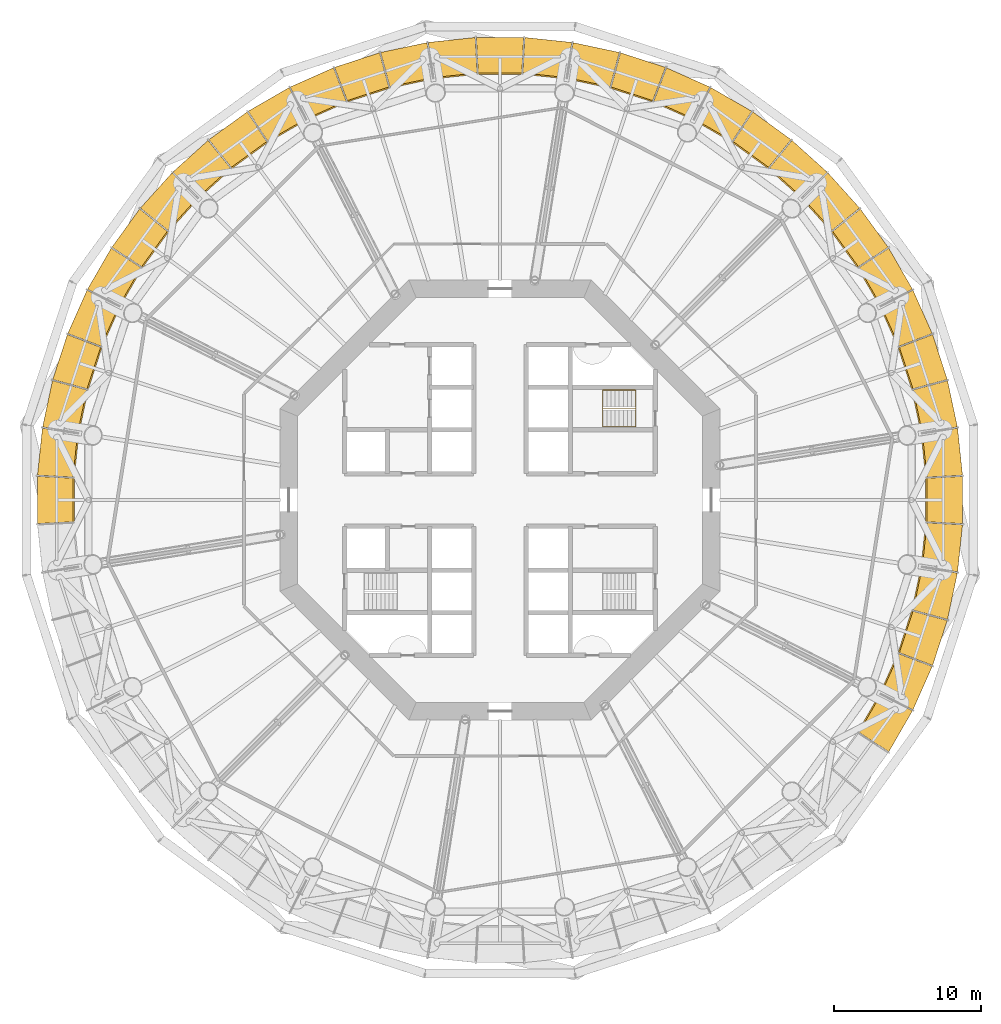
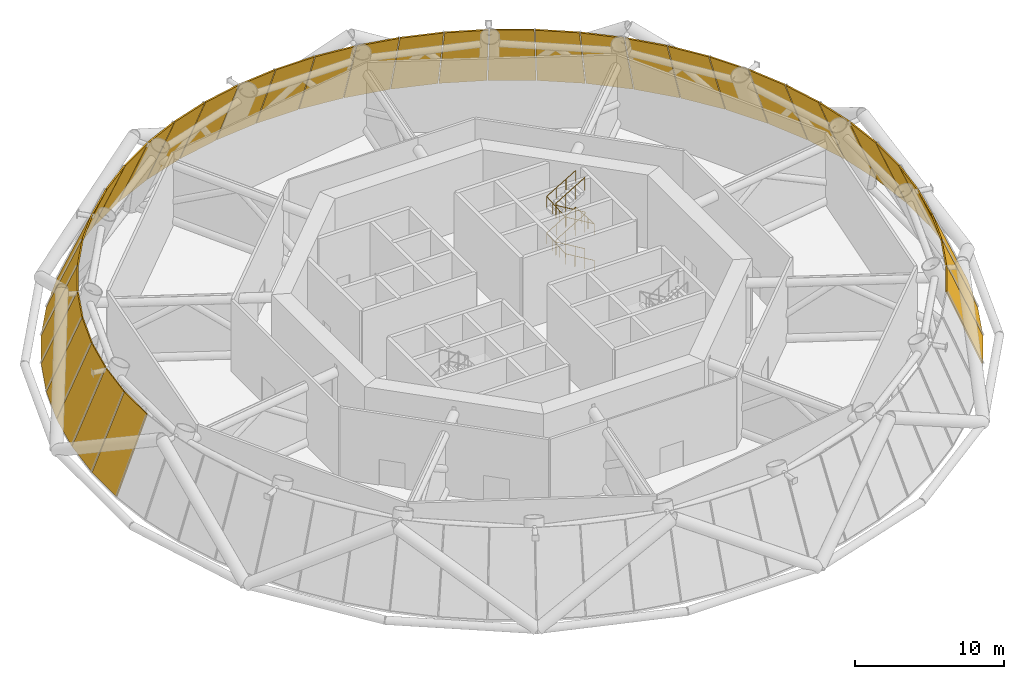
# One storey, part 18 of 18: 36 shading devices, 2 railings.
"""IFC4 building model written with IfcOpenShell, lengths in metres."""

from ifc_helpers import new_model, si_unit, direction, frame, origin, origin_2d, place, context, subcontext, project, spatial, polyline, circle, outline, extrude, material, layer, layer_set, type_object, element, save


model = new_model("IFC4")

# Units and contexts
model_context = context("Model", 3, precision=1e-05, world=origin(), true_north=direction((0.0, 1.0)))
body_context = subcontext(model_context, "Body", "Model", "MODEL_VIEW")
ifc_project = project(units=[si_unit("LENGTHUNIT", "METRE"), si_unit("AREAUNIT", "SQUARE_METRE"), si_unit("VOLUMEUNIT", "CUBIC_METRE"), si_unit("PLANEANGLEUNIT", "RADIAN"), si_unit("MASSUNIT", "GRAM", prefix="KILO")], contexts=[model_context])

# Site, building, storey
site_placement = place(None, origin())
site = spatial("IfcSite", under=ifc_project, at=site_placement, CompositionType="ELEMENT")
building_placement = place(site_placement, origin())
building = spatial("IfcBuilding", under=site, at=building_placement, Name="Entoto Ring Tower", CompositionType="ELEMENT")
storey_placement = place(building_placement, frame((0.0, 0.0, 138.0)))
storey = spatial("IfcBuildingStorey", under=building, at=storey_placement, Name="L31", CompositionType="ELEMENT", Elevation=138.0)

# Shading devices
ifc_material_1 = material(Name="Anodised aluminium", Category="aluminium")
ifc_layer = layer(ifc_material_1, 0.10009765625)
ifc_layer_set = layer_set([ifc_layer], Name="Anodised aluminium")
shading_device_type = type_object("IfcShadingDeviceType", Name="Louvre bank 100 mm anodised aluminium", PredefinedType="JALOUSIE", material=ifc_layer_set)
shading_device_1_placement = place(storey_placement, frame((121.195068359375, 84.9814453125, 0.03857421875), z_axis=(0.902909840712, 0.191938318663, 0.384595243566), x_axis=(-0.20793140203, 0.978143410779, 2.7928e-07)))
element("IfcShadingDevice", 1, at=shading_device_1_placement, inside=storey, type_object=shading_device_type, Name="LOUVRE L31-00", PredefinedType="JALOUSIE", context=body_context, shape_type="SweptSolid", body=[
    extrude(outline(polyline([(0.0, 0.0), (3.2265271884556905, -5.551115123125783e-17), (3.0997850063183683, 6.295758883647002), (0.12684836673709754, 6.295760759300498), (0.0, 0.0)])), origin(), (0.0, 0.0, -1.0), 0.10009765625),
])
shading_device_2_placement = place(storey_placement, frame((120.503662109375, 88.21484375, 0.03857421875), z_axis=(0.877885494944, 0.285273709756, 0.384624450977), x_axis=(-0.309050917079, 0.951045493439, 7.907044e-06)))
element("IfcShadingDevice", 2, at=shading_device_2_placement, inside=storey, type_object=shading_device_type, Name="LOUVRE L31-01", PredefinedType="JALOUSIE", context=body_context, shape_type="SweptSolid", body=[
    extrude(outline(polyline([(0.0, 0.0), (3.2268346798809784, 0.0), (3.099878226218656, 6.295816269775997), (0.1269738169212568, 6.295869376740003), (0.0, 0.0)])), origin(), (0.0, 0.0, -1.0), 0.10009765625),
])
shading_device_3_placement = place(storey_placement, frame((119.477783203125, 91.3583984375, 0.03857421875), z_axis=(0.843273052985, 0.375454431841, 0.384609578299), x_axis=(-0.406743440729, 0.913542431084, 5.7945e-06)))
element("IfcShadingDevice", 3, at=shading_device_3_placement, inside=storey, type_object=shading_device_type, Name="LOUVRE L31-02", PredefinedType="JALOUSIE", context=body_context, shape_type="SweptSolid", body=[
    extrude(outline(polyline([(0.0, 0.0), (3.2267490357089774, -5.551115123125783e-17), (3.0998564130350026, 6.295781097947797), (0.12677052247417445, 6.29582001653252), (0.0, 0.0)])), origin(), (0.0, 0.0, -1.0), 0.10009765625),
])
shading_device_4_placement = place(storey_placement, frame((118.129150390625, 94.37744140625, 0.03857421875), z_axis=(0.799398656854, 0.46155085017, 0.384620072444), x_axis=(-0.500017783545, 0.866015136158, 9.15765e-06)))
element("IfcShadingDevice", 4, at=shading_device_4_placement, inside=storey, type_object=shading_device_type, Name="LOUVRE L31-03", PredefinedType="JALOUSIE", context=body_context, shape_type="SweptSolid", body=[
    extrude(outline(polyline([(0.0, 0.0), (3.226813178689988, -1.1102230246251565e-16), (3.099792724888256, 6.2957996274384), (0.12707839944664825, 6.295861131761754), (0.0, 0.0)])), origin(), (0.0, 0.0, -1.0), 0.10009765625),
])
shading_device_5_placement = place(storey_placement, frame((116.47216796875, 97.23876953125, 0.03857421875), z_axis=(0.746802221329, 0.542553903896, 0.384605906852), x_axis=(-0.587767918098, 0.809029588046, 1.0986568e-05)))
element("IfcShadingDevice", 5, at=shading_device_5_placement, inside=storey, type_object=shading_device_type, Name="LOUVRE L31-04", PredefinedType="JALOUSIE", context=body_context, shape_type="SweptSolid", body=[
    extrude(outline(polyline([(0.0, 0.0), (3.226885337080147, -1.1102230246251565e-16), (3.0999857743016874, 6.295753227516928), (0.12703301764701475, 6.29582701839054), (0.0, 0.0)])), origin(), (0.0, 0.0, -1.0), 0.10009765625),
])
shading_device_6_placement = place(storey_placement, frame((114.525146484375, 99.91162109375, 0.03857421875), z_axis=(0.685983358776, 0.617646737618, 0.384628832764), x_axis=(-0.669124159607, 0.743150630054, 9.037892e-06)))
element("IfcShadingDevice", 6, at=shading_device_6_placement, inside=storey, type_object=shading_device_type, Name="LOUVRE L31-05", PredefinedType="JALOUSIE", context=body_context, shape_type="SweptSolid", body=[
    extrude(outline(polyline([(0.0, 0.0), (3.226796766588704, 0.0), (3.099923533200757, 6.2958249246981355), (0.12689207459241947, 6.295885627895602), (0.0, 0.0)])), origin(), (0.0, 0.0, -1.0), 0.10009765625),
])
shading_device_7_placement = place(storey_placement, frame((112.3095703125, 102.365966796875, 0.03857421875), z_axis=(0.617646737618, 0.685983358776, 0.384628832764), x_axis=(-0.743150630054, 0.669124159607, -9.037892e-06)))
element("IfcShadingDevice", 7, at=shading_device_7_placement, inside=storey, type_object=shading_device_type, Name="LOUVRE L31-06", PredefinedType="JALOUSIE", context=body_context, shape_type="SweptSolid", body=[
    extrude(outline(polyline([(0.0, 0.0), (3.226796766588704, 0.0), (3.099904691996284, 6.295885627895602), (0.12687323338794687, 6.2958249246981355), (0.0, 0.0)])), origin(), (0.0, 0.0, -1.0), 0.10009765625),
])
shading_device_8_placement = place(storey_placement, frame((109.849365234375, 104.575439453125, 0.03857421875), z_axis=(0.542553903896, 0.746802221329, 0.384605906852), x_axis=(-0.809029588046, 0.587767918098, -1.0986568e-05)))
element("IfcShadingDevice", 8, at=shading_device_8_placement, inside=storey, type_object=shading_device_type, Name="LOUVRE L31-07", PredefinedType="JALOUSIE", context=body_context, shape_type="SweptSolid", body=[
    extrude(outline(polyline([(0.0, 0.0), (3.226885337080147, 1.1102230246251565e-16), (3.0998523194331318, 6.29582701839054), (0.12689956277845987, 6.295753227516929), (0.0, 0.0)])), origin(), (0.0, 0.0, -1.0), 0.10009765625),
])
shading_device_9_placement = place(storey_placement, frame((107.171875, 106.515625, 0.03857421875), z_axis=(0.46155085017, 0.799398656854, 0.384620072444), x_axis=(-0.866015136158, 0.500017783545, -9.15765e-06)))
element("IfcShadingDevice", 9, at=shading_device_9_placement, inside=storey, type_object=shading_device_type, Name="LOUVRE L31-08", PredefinedType="JALOUSIE", context=body_context, shape_type="SweptSolid", body=[
    extrude(outline(polyline([(0.0, 0.0), (3.226813178689988, 1.1102230246251565e-16), (3.0997347792433394, 6.295861131761754), (0.12702045380173252, 6.2957996274384), (0.0, 0.0)])), origin(), (0.0, 0.0, -1.0), 0.10009765625),
])
shading_device_10_placement = place(storey_placement, frame((104.30615234375, 108.165283203125, 0.03857421875), z_axis=(0.375454431841, 0.843273052985, 0.384609578299), x_axis=(-0.913542431084, 0.406743440729, -5.7945e-06)))
element("IfcShadingDevice", 10, at=shading_device_10_placement, inside=storey, type_object=shading_device_type, Name="LOUVRE L31-09", PredefinedType="JALOUSIE", context=body_context, shape_type="SweptSolid", body=[
    extrude(outline(polyline([(0.0, 0.0), (3.2267490357089774, 5.551115123125783e-17), (3.0999785132348032, 6.29582001653252), (0.12689262267397503, 6.295781097947797), (0.0, 0.0)])), origin(), (0.0, 0.0, -1.0), 0.10009765625),
])
shading_device_11_placement = place(storey_placement, frame((101.28369140625, 109.50634765625, 0.03857421875), z_axis=(0.285273709756, 0.877885494944, 0.384624450977), x_axis=(-0.951045493439, 0.309050917079, -7.907044e-06)))
element("IfcShadingDevice", 11, at=shading_device_11_placement, inside=storey, type_object=shading_device_type, Name="LOUVRE L31-10", PredefinedType="JALOUSIE", context=body_context, shape_type="SweptSolid", body=[
    extrude(outline(polyline([(0.0, 0.0), (3.2268346798809784, 0.0), (3.0998608629597215, 6.295869376740003), (0.1269564536623214, 6.295816269775997), (0.0, 0.0)])), origin(), (0.0, 0.0, -1.0), 0.10009765625),
])
shading_device_12_placement = place(storey_placement, frame((98.137451171875, 110.524169921875, 0.03857421875), z_axis=(0.191938318663, 0.902909840712, 0.384595243566), x_axis=(-0.978143410779, 0.20793140203, -2.7928e-07)))
element("IfcShadingDevice", 12, at=shading_device_12_placement, inside=storey, type_object=shading_device_type, Name="LOUVRE L31-11", PredefinedType="JALOUSIE", context=body_context, shape_type="SweptSolid", body=[
    extrude(outline(polyline([(0.0, 0.0), (3.2265271884556905, 5.551115123125783e-17), (3.099678821718593, 6.295760759300498), (0.12674218213732258, 6.295758883647002), (0.0, 0.0)])), origin(), (0.0, 0.0, -1.0), 0.10009765625),
])
shading_device_13_placement = place(storey_placement, frame((94.90234375, 111.207763671875, 0.03857421875), z_axis=(0.096476902825, 0.918020988674, 0.384616265355), x_axis=(-0.99452352014, 0.104513003067, 8.888352e-06)))
element("IfcShadingDevice", 13, at=shading_device_13_placement, inside=storey, type_object=shading_device_type, Name="LOUVRE L31-12", PredefinedType="JALOUSIE", context=body_context, shape_type="SweptSolid", body=[
    extrude(outline(polyline([(0.0, 0.0), (3.2266478530153275, 0.0), (3.09989097908511, 6.295789711517468), (0.12705775599058625, 6.2958494066413015), (0.0, 0.0)])), origin(), (0.0, 0.0, -1.0), 0.10009765625),
])
shading_device_14_placement = place(storey_placement, frame((91.61328125, 111.549072265625, 0.03857421875), z_axis=(0.0, 0.923081512173, 0.384604370599), x_axis=(-1.0, 0.0, 0.0)))
element("IfcShadingDevice", 14, at=shading_device_14_placement, inside=storey, type_object=shading_device_type, Name="LOUVRE L31-13", PredefinedType="JALOUSIE", context=body_context, shape_type="SweptSolid", body=[
    extrude(outline(polyline([(0.0, 0.0), (3.2265625, 0.0), (3.099853515625, 6.295785757659698), (0.126708984375, 6.295785757659698), (0.0, 0.0)])), origin(), (0.0, 0.0, -1.0), 0.10009765625),
])
shading_device_15_placement = place(storey_placement, frame((88.306640625, 111.544921875, 0.03857421875), z_axis=(-0.096476902825, 0.918020988674, 0.384616265355), x_axis=(-0.99452352014, -0.104513003067, -8.888352e-06)))
element("IfcShadingDevice", 15, at=shading_device_15_placement, inside=storey, type_object=shading_device_type, Name="LOUVRE L31-14", PredefinedType="JALOUSIE", context=body_context, shape_type="SweptSolid", body=[
    extrude(outline(polyline([(0.0, 0.0), (3.2266478530153275, 0.0), (3.099590097024741, 6.2958494066413015), (0.12675687393021692, 6.295789711517468), (0.0, 0.0)])), origin(), (0.0, 0.0, -1.0), 0.10009765625),
])
shading_device_16_placement = place(storey_placement, frame((85.0185546875, 111.195068359375, 0.03857421875), z_axis=(-0.191938318663, 0.902909840712, 0.384595243566), x_axis=(-0.978143410779, -0.20793140203, 2.7928e-07)))
element("IfcShadingDevice", 16, at=shading_device_16_placement, inside=storey, type_object=shading_device_type, Name="LOUVRE L31-15", PredefinedType="JALOUSIE", context=body_context, shape_type="SweptSolid", body=[
    extrude(outline(polyline([(0.0, 0.0), (3.2265271884556905, -5.551115123125783e-17), (3.0997850063183683, 6.295758883647002), (0.12684836673709754, 6.295760759300498), (0.0, 0.0)])), origin(), (0.0, 0.0, -1.0), 0.10009765625),
])
shading_device_17_placement = place(storey_placement, frame((81.78515625, 110.503662109375, 0.03857421875), z_axis=(-0.285273709756, 0.877885494944, 0.384624450977), x_axis=(-0.951045493439, -0.309050917079, 7.907044e-06)))
element("IfcShadingDevice", 17, at=shading_device_17_placement, inside=storey, type_object=shading_device_type, Name="LOUVRE L31-16", PredefinedType="JALOUSIE", context=body_context, shape_type="SweptSolid", body=[
    extrude(outline(polyline([(0.0, 0.0), (3.2268346798809784, 0.0), (3.099878226218656, 6.295816269775997), (0.1269738169212568, 6.295869376740003), (0.0, 0.0)])), origin(), (0.0, 0.0, -1.0), 0.10009765625),
])
shading_device_18_placement = place(storey_placement, frame((78.6416015625, 109.477783203125, 0.03857421875), z_axis=(-0.375454431841, 0.843273052985, 0.384609578299), x_axis=(-0.913542431084, -0.406743440729, 5.7945e-06)))
element("IfcShadingDevice", 18, at=shading_device_18_placement, inside=storey, type_object=shading_device_type, Name="LOUVRE L31-17", PredefinedType="JALOUSIE", context=body_context, shape_type="SweptSolid", body=[
    extrude(outline(polyline([(0.0, 0.0), (3.2267490357089774, -5.551115123125783e-17), (3.0998564130350026, 6.295781097947797), (0.12677052247417445, 6.29582001653252), (0.0, 0.0)])), origin(), (0.0, 0.0, -1.0), 0.10009765625),
])
shading_device_19_placement = place(storey_placement, frame((75.62255859375, 108.129150390625, 0.03857421875), z_axis=(-0.46155085017, 0.799398656854, 0.384620072444), x_axis=(-0.866015136158, -0.500017783545, 9.15765e-06)))
element("IfcShadingDevice", 19, at=shading_device_19_placement, inside=storey, type_object=shading_device_type, Name="LOUVRE L31-18", PredefinedType="JALOUSIE", context=body_context, shape_type="SweptSolid", body=[
    extrude(outline(polyline([(0.0, 0.0), (3.226813178689988, -1.1102230246251565e-16), (3.099792724888256, 6.2957996274384), (0.12707839944664825, 6.295861131761754), (0.0, 0.0)])), origin(), (0.0, 0.0, -1.0), 0.10009765625),
])
shading_device_20_placement = place(storey_placement, frame((72.76123046875, 106.47216796875, 0.03857421875), z_axis=(-0.542553903896, 0.746802221329, 0.384605906852), x_axis=(-0.809029588046, -0.587767918098, 1.0986568e-05)))
element("IfcShadingDevice", 20, at=shading_device_20_placement, inside=storey, type_object=shading_device_type, Name="LOUVRE L31-19", PredefinedType="JALOUSIE", context=body_context, shape_type="SweptSolid", body=[
    extrude(outline(polyline([(0.0, 0.0), (3.226885337080147, -1.1102230246251565e-16), (3.0999857743016874, 6.295753227516928), (0.12703301764701475, 6.29582701839054), (0.0, 0.0)])), origin(), (0.0, 0.0, -1.0), 0.10009765625),
])
shading_device_21_placement = place(storey_placement, frame((70.08837890625, 104.525146484375, 0.03857421875), z_axis=(-0.617646737618, 0.685983358776, 0.384628832764), x_axis=(-0.743150630054, -0.669124159607, 9.037892e-06)))
element("IfcShadingDevice", 21, at=shading_device_21_placement, inside=storey, type_object=shading_device_type, Name="LOUVRE L31-20", PredefinedType="JALOUSIE", context=body_context, shape_type="SweptSolid", body=[
    extrude(outline(polyline([(0.0, 0.0), (3.226796766588704, 0.0), (3.099923533200757, 6.2958249246981355), (0.12689207459241947, 6.295885627895602), (0.0, 0.0)])), origin(), (0.0, 0.0, -1.0), 0.10009765625),
])
shading_device_22_placement = place(storey_placement, frame((67.634033203125, 102.3095703125, 0.03857421875), z_axis=(-0.685983358776, 0.617646737618, 0.384628832764), x_axis=(-0.669124159607, -0.743150630054, -9.037892e-06)))
element("IfcShadingDevice", 22, at=shading_device_22_placement, inside=storey, type_object=shading_device_type, Name="LOUVRE L31-21", PredefinedType="JALOUSIE", context=body_context, shape_type="SweptSolid", body=[
    extrude(outline(polyline([(0.0, 0.0), (3.226796766588704, 0.0), (3.099904691996284, 6.295885627895602), (0.12687323338794687, 6.2958249246981355), (0.0, 0.0)])), origin(), (0.0, 0.0, -1.0), 0.10009765625),
])
shading_device_23_placement = place(storey_placement, frame((65.424560546875, 99.849365234375, 0.03857421875), z_axis=(-0.746802221329, 0.542553903896, 0.384605906852), x_axis=(-0.587767918098, -0.809029588046, -1.0986568e-05)))
element("IfcShadingDevice", 23, at=shading_device_23_placement, inside=storey, type_object=shading_device_type, Name="LOUVRE L31-22", PredefinedType="JALOUSIE", context=body_context, shape_type="SweptSolid", body=[
    extrude(outline(polyline([(0.0, 0.0), (3.226885337080147, 1.1102230246251565e-16), (3.0998523194331318, 6.29582701839054), (0.12689956277845987, 6.295753227516929), (0.0, 0.0)])), origin(), (0.0, 0.0, -1.0), 0.10009765625),
])
shading_device_24_placement = place(storey_placement, frame((63.484375, 97.171875, 0.03857421875), z_axis=(-0.799398656854, 0.46155085017, 0.384620072444), x_axis=(-0.500017783545, -0.866015136158, -9.15765e-06)))
element("IfcShadingDevice", 24, at=shading_device_24_placement, inside=storey, type_object=shading_device_type, Name="LOUVRE L31-23", PredefinedType="JALOUSIE", context=body_context, shape_type="SweptSolid", body=[
    extrude(outline(polyline([(0.0, 0.0), (3.226813178689988, 1.1102230246251565e-16), (3.0997347792433394, 6.295861131761754), (0.12702045380173252, 6.2957996274384), (0.0, 0.0)])), origin(), (0.0, 0.0, -1.0), 0.10009765625),
])
shading_device_25_placement = place(storey_placement, frame((61.834716796875, 94.30615234375, 0.03857421875), z_axis=(-0.843273052985, 0.375454431841, 0.384609578299), x_axis=(-0.406743440729, -0.913542431084, -5.7945e-06)))
element("IfcShadingDevice", 25, at=shading_device_25_placement, inside=storey, type_object=shading_device_type, Name="LOUVRE L31-24", PredefinedType="JALOUSIE", context=body_context, shape_type="SweptSolid", body=[
    extrude(outline(polyline([(0.0, 0.0), (3.2267490357089774, 5.551115123125783e-17), (3.0999785132348032, 6.29582001653252), (0.12689262267397503, 6.295781097947797), (0.0, 0.0)])), origin(), (0.0, 0.0, -1.0), 0.10009765625),
])
shading_device_26_placement = place(storey_placement, frame((60.49365234375, 91.28369140625, 0.03857421875), z_axis=(-0.877885494944, 0.285273709756, 0.384624450977), x_axis=(-0.309050917079, -0.951045493439, -7.907044e-06)))
element("IfcShadingDevice", 26, at=shading_device_26_placement, inside=storey, type_object=shading_device_type, Name="LOUVRE L31-25", PredefinedType="JALOUSIE", context=body_context, shape_type="SweptSolid", body=[
    extrude(outline(polyline([(0.0, 0.0), (3.2268346798809784, 0.0), (3.0998608629597215, 6.295869376740003), (0.1269564536623214, 6.295816269775997), (0.0, 0.0)])), origin(), (0.0, 0.0, -1.0), 0.10009765625),
])
shading_device_27_placement = place(storey_placement, frame((59.475830078125, 88.137451171875, 0.03857421875), z_axis=(-0.902909840712, 0.191938318663, 0.384595243566), x_axis=(-0.20793140203, -0.978143410779, -2.7928e-07)))
element("IfcShadingDevice", 27, at=shading_device_27_placement, inside=storey, type_object=shading_device_type, Name="LOUVRE L31-26", PredefinedType="JALOUSIE", context=body_context, shape_type="SweptSolid", body=[
    extrude(outline(polyline([(0.0, 0.0), (3.2265271884556905, 5.551115123125783e-17), (3.099678821718593, 6.295760759300498), (0.12674218213732258, 6.295758883647002), (0.0, 0.0)])), origin(), (0.0, 0.0, -1.0), 0.10009765625),
])
shading_device_28_placement = place(storey_placement, frame((58.792236328125, 84.90234375, 0.03857421875), z_axis=(-0.918020988674, 0.096476902825, 0.384616265355), x_axis=(-0.104513003067, -0.99452352014, 8.888352e-06)))
element("IfcShadingDevice", 28, at=shading_device_28_placement, inside=storey, type_object=shading_device_type, Name="LOUVRE L31-27", PredefinedType="JALOUSIE", context=body_context, shape_type="SweptSolid", body=[
    extrude(outline(polyline([(0.0, 0.0), (3.2266478530153275, 0.0), (3.09989097908511, 6.295789711517468), (0.12705775599058625, 6.2958494066413015), (0.0, 0.0)])), origin(), (0.0, 0.0, -1.0), 0.10009765625),
])
shading_device_29_placement = place(storey_placement, frame((58.450927734375, 81.61328125, 0.03857421875), z_axis=(-0.923081512173, 0.0, 0.384604370599), x_axis=(0.0, -1.0, 0.0)))
element("IfcShadingDevice", 29, at=shading_device_29_placement, inside=storey, type_object=shading_device_type, Name="LOUVRE L31-28", PredefinedType="JALOUSIE", context=body_context, shape_type="SweptSolid", body=[
    extrude(outline(polyline([(0.0, 0.0), (3.2265625, 0.0), (3.099853515625, 6.295785757659698), (0.126708984375, 6.295785757659698), (0.0, 0.0)])), origin(), (0.0, 0.0, -1.0), 0.10009765625),
])
shading_device_30_placement = place(storey_placement, frame((116.515625, 62.828125, 0.03857421875), z_axis=(0.799398656854, -0.46155085017, 0.384620072444), x_axis=(0.500017783545, 0.866015136158, -9.15765e-06)))
element("IfcShadingDevice", 30, at=shading_device_30_placement, inside=storey, type_object=shading_device_type, Name="LOUVRE L31-53", PredefinedType="JALOUSIE", context=body_context, shape_type="SweptSolid", body=[
    extrude(outline(polyline([(0.0, 0.0), (3.226813178689988, 1.1102230246251565e-16), (3.0997347792433394, 6.295861131761754), (0.12702045380173252, 6.2957996274384), (0.0, 0.0)])), origin(), (0.0, 0.0, -1.0), 0.10009765625),
])
shading_device_31_placement = place(storey_placement, frame((118.165283203125, 65.69384765625, 0.03857421875), z_axis=(0.843273052985, -0.375454431841, 0.384609578299), x_axis=(0.406743440729, 0.913542431084, -5.7945e-06)))
element("IfcShadingDevice", 31, at=shading_device_31_placement, inside=storey, type_object=shading_device_type, Name="LOUVRE L31-54", PredefinedType="JALOUSIE", context=body_context, shape_type="SweptSolid", body=[
    extrude(outline(polyline([(0.0, 0.0), (3.2267490357089774, 5.551115123125783e-17), (3.0999785132348032, 6.29582001653252), (0.12689262267397503, 6.295781097947797), (0.0, 0.0)])), origin(), (0.0, 0.0, -1.0), 0.10009765625),
])
shading_device_32_placement = place(storey_placement, frame((119.50634765625, 68.71630859375, 0.03857421875), z_axis=(0.877885494944, -0.285273709756, 0.384624450977), x_axis=(0.309050917079, 0.951045493439, -7.907044e-06)))
element("IfcShadingDevice", 32, at=shading_device_32_placement, inside=storey, type_object=shading_device_type, Name="LOUVRE L31-55", PredefinedType="JALOUSIE", context=body_context, shape_type="SweptSolid", body=[
    extrude(outline(polyline([(0.0, 0.0), (3.2268346798809784, 0.0), (3.0998608629597215, 6.295869376740003), (0.1269564536623214, 6.295816269775997), (0.0, 0.0)])), origin(), (0.0, 0.0, -1.0), 0.10009765625),
])
shading_device_33_placement = place(storey_placement, frame((120.524169921875, 71.862548828125, 0.03857421875), z_axis=(0.902909840712, -0.191938318663, 0.384595243566), x_axis=(0.20793140203, 0.978143410779, -2.7928e-07)))
element("IfcShadingDevice", 33, at=shading_device_33_placement, inside=storey, type_object=shading_device_type, Name="LOUVRE L31-56", PredefinedType="JALOUSIE", context=body_context, shape_type="SweptSolid", body=[
    extrude(outline(polyline([(0.0, 0.0), (3.2265271884556905, 5.551115123125783e-17), (3.099678821718593, 6.295760759300498), (0.12674218213732258, 6.295758883647002), (0.0, 0.0)])), origin(), (0.0, 0.0, -1.0), 0.10009765625),
])
shading_device_34_placement = place(storey_placement, frame((121.207763671875, 75.09765625, 0.03857421875), z_axis=(0.918020988674, -0.096476902825, 0.384616265355), x_axis=(0.104513003067, 0.99452352014, 8.888352e-06)))
element("IfcShadingDevice", 34, at=shading_device_34_placement, inside=storey, type_object=shading_device_type, Name="LOUVRE L31-57", PredefinedType="JALOUSIE", context=body_context, shape_type="SweptSolid", body=[
    extrude(outline(polyline([(0.0, 0.0), (3.2266478530153275, 0.0), (3.09989097908511, 6.295789711517468), (0.12705775599058625, 6.2958494066413015), (0.0, 0.0)])), origin(), (0.0, 0.0, -1.0), 0.10009765625),
])
shading_device_35_placement = place(storey_placement, frame((121.549072265625, 78.38671875, 0.03857421875), z_axis=(0.923081512173, 0.0, 0.384604370599), x_axis=(0.0, 1.0, 0.0)))
element("IfcShadingDevice", 35, at=shading_device_35_placement, inside=storey, type_object=shading_device_type, Name="LOUVRE L31-58", PredefinedType="JALOUSIE", context=body_context, shape_type="SweptSolid", body=[
    extrude(outline(polyline([(0.0, 0.0), (3.2265625, 0.0), (3.099853515625, 6.295785757659698), (0.126708984375, 6.295785757659698), (0.0, 0.0)])), origin(), (0.0, 0.0, -1.0), 0.10009765625),
])
shading_device_36_placement = place(storey_placement, frame((121.544921875, 81.693359375, 0.03857421875), z_axis=(0.918020988674, 0.096476902825, 0.384616265355), x_axis=(-0.104513003067, 0.99452352014, -8.888352e-06)))
element("IfcShadingDevice", 36, at=shading_device_36_placement, inside=storey, type_object=shading_device_type, Name="LOUVRE L31-59", PredefinedType="JALOUSIE", context=body_context, shape_type="SweptSolid", body=[
    extrude(outline(polyline([(0.0, 0.0), (3.2266478530153275, 0.0), (3.099590097024741, 6.2958494066413015), (0.12675687393021692, 6.295789711517468), (0.0, 0.0)])), origin(), (0.0, 0.0, -1.0), 0.10009765625),
])

# Railings
ifc_material_2 = material(Name="Steel S275", Category="steel")
railing_type_1 = type_object("IfcRailingType", Name="Stair guard 1100 mm steel", PredefinedType="GUARDRAIL", material=ifc_material_2)
railing_1_placement = place(storey_placement, frame((99.25, 86.25, 0.166748046875)))
element("IfcRailing", 37, at=railing_1_placement, inside=storey, type_object=railing_type_1, Name="Guard ST1", PredefinedType="GUARDRAIL", context=body_context, shape_type="SweptSolid", body=[
    extrude(circle(Radius=0.02392578125, at=origin_2d()), frame((0.0, 0.0, 1.076171875), z_axis=(-0.859305625298, 0.0, 0.511462454469), x_axis=(0.0, -1.0, 0.0)), (0.0, 0.0, 1.0), 2.606689453125),
    extrude(circle(Radius=0.02392578125, at=origin_2d()), frame((-2.239990234375, 0.0, 2.4091796875), z_axis=(0.0, 0.0, 1.0), x_axis=(1.0, 0.0, 0.0)), (0.0, 0.0, 1.0), 0.166748046875),
    extrude(circle(Radius=0.02392578125, at=origin_2d()), frame((-2.239990234375, 0.0, 2.576171875), z_axis=(0.859305625298, 0.0, 0.511462454469), x_axis=(0.0, 1.0, 0.0)), (0.0, 0.0, 1.0), 2.606689453125),
    extrude(circle(Radius=0.02392578125, at=origin_2d()), frame((0.0, 0.0, 3.9091796875), z_axis=(0.0, 0.0, 1.0), x_axis=(1.0, 0.0, 0.0)), (0.0, 0.0, 1.0), 0.166748046875),
    extrude(circle(Radius=0.02392578125, at=origin_2d()), frame((0.0, 0.0, 4.076171875), z_axis=(-0.859305625298, 0.0, 0.511462454469), x_axis=(0.0, -1.0, 0.0)), (0.0, 0.0, 1.0), 2.606689453125),
    extrude(circle(Radius=0.02392578125, at=origin_2d()), frame((-2.239990234375, 0.0, 5.4091796875), z_axis=(0.0, 0.0, 1.0), x_axis=(1.0, 0.0, 0.0)), (0.0, 0.0, 1.0), 0.166748046875),
    extrude(circle(Radius=0.02392578125, at=origin_2d()), frame((-2.239990234375, 0.0, 5.576171875), z_axis=(0.859305625298, 0.0, 0.511462454469), x_axis=(0.0, 1.0, 0.0)), (0.0, 0.0, 1.0), 2.606689453125),
    extrude(circle(Radius=0.02099609375, at=origin_2d()), origin(), (0.0, 0.0, 1.0), 1.052001953125),
    extrude(circle(Radius=0.02099609375, at=origin_2d()), frame((-0.74658203125, 0.0, 0.4443359375)), (0.0, 0.0, 1.0), 1.052001953125),
    extrude(circle(Radius=0.02099609375, at=origin_2d()), frame((-1.493408203125, 0.0, 0.888916015625)), (0.0, 0.0, 1.0), 1.052001953125),
    extrude(circle(Radius=0.02099609375, at=origin_2d()), frame((-2.239990234375, 0.0, 1.333251953125)), (0.0, 0.0, 1.0), 1.052001953125),
    extrude(circle(Radius=0.02099609375, at=origin_2d()), frame((-2.239990234375, 0.0, 1.5)), (0.0, 0.0, 1.0), 1.052001953125),
    extrude(circle(Radius=0.02099609375, at=origin_2d()), frame((-1.493408203125, 0.0, 1.9443359375)), (0.0, 0.0, 1.0), 1.052001953125),
    extrude(circle(Radius=0.02099609375, at=origin_2d()), frame((-0.74658203125, 0.0, 2.388916015625)), (0.0, 0.0, 1.0), 1.052001953125),
    extrude(circle(Radius=0.02099609375, at=origin_2d()), frame((0.0, 0.0, 2.833251953125)), (0.0, 0.0, 1.0), 1.052001953125),
    extrude(circle(Radius=0.02099609375, at=origin_2d()), frame((0.0, 0.0, 3.0)), (0.0, 0.0, 1.0), 1.052001953125),
    extrude(circle(Radius=0.02099609375, at=origin_2d()), frame((-0.74658203125, 0.0, 3.4443359375)), (0.0, 0.0, 1.0), 1.052001953125),
    extrude(circle(Radius=0.02099609375, at=origin_2d()), frame((-1.493408203125, 0.0, 3.888916015625)), (0.0, 0.0, 1.0), 1.052001953125),
    extrude(circle(Radius=0.02099609375, at=origin_2d()), frame((-2.239990234375, 0.0, 4.333251953125)), (0.0, 0.0, 1.0), 1.052001953125),
    extrude(circle(Radius=0.02099609375, at=origin_2d()), frame((-2.239990234375, 0.0, 4.5)), (0.0, 0.0, 1.0), 1.052001953125),
    extrude(circle(Radius=0.02099609375, at=origin_2d()), frame((-1.493408203125, 0.0, 4.9443359375)), (0.0, 0.0, 1.0), 1.052001953125),
    extrude(circle(Radius=0.02099609375, at=origin_2d()), frame((-0.74658203125, 0.0, 5.388916015625)), (0.0, 0.0, 1.0), 1.052001953125),
    extrude(circle(Radius=0.02099609375, at=origin_2d()), frame((0.0, 0.0, 5.833251953125)), (0.0, 0.0, 1.0), 1.052001953125),
])
ifc_material_3 = material(Name="Steel S275", Category="steel")
railing_type_2 = type_object("IfcRailingType", Name="Stair handrail 900 mm steel", PredefinedType="HANDRAIL", material=ifc_material_3)
railing_2_placement = place(storey_placement, frame((99.25, 85.0, 0.166748046875)))
element("IfcRailing", 38, at=railing_2_placement, inside=storey, type_object=railing_type_2, Name="Handrail ST1", PredefinedType="HANDRAIL", context=body_context, shape_type="SweptSolid", body=[
    extrude(circle(Radius=0.02392578125, at=origin_2d()), frame((0.0, 0.0, 0.8759765625), z_axis=(-0.859305625298, 0.0, 0.511462454469), x_axis=(0.0, -1.0, 0.0)), (0.0, 0.0, 1.0), 2.606689453125),
    extrude(circle(Radius=0.02392578125, at=origin_2d()), frame((-2.239990234375, 0.0, 2.208984375), z_axis=(0.0, 0.997783001586, 0.066551346688), x_axis=(-1.0, 0.0, 0.0)), (0.0, 0.0, 1.0), 2.505615234375),
    extrude(circle(Radius=0.02392578125, at=origin_2d()), frame((-2.239990234375, 2.5, 2.3759765625), z_axis=(0.859305625298, 0.0, 0.511462454469), x_axis=(0.0, 1.0, 0.0)), (0.0, 0.0, 1.0), 2.606689453125),
    extrude(circle(Radius=0.02392578125, at=origin_2d()), frame((0.0, 2.5, 3.708984375), z_axis=(0.0, -0.997783001586, 0.066551346688), x_axis=(1.0, 0.0, 0.0)), (0.0, 0.0, 1.0), 2.505615234375),
    extrude(circle(Radius=0.02392578125, at=origin_2d()), frame((0.0, 0.0, 3.8759765625), z_axis=(-0.859305625298, 0.0, 0.511462454469), x_axis=(0.0, -1.0, 0.0)), (0.0, 0.0, 1.0), 2.606689453125),
    extrude(circle(Radius=0.02392578125, at=origin_2d()), frame((-2.239990234375, 0.0, 5.208984375), z_axis=(0.0, 0.997783001586, 0.066551346688), x_axis=(-1.0, 0.0, 0.0)), (0.0, 0.0, 1.0), 2.505615234375),
    extrude(circle(Radius=0.02392578125, at=origin_2d()), frame((-2.239990234375, 2.5, 5.3759765625), z_axis=(0.859305625298, 0.0, 0.511462454469), x_axis=(0.0, 1.0, 0.0)), (0.0, 0.0, 1.0), 2.606689453125),
    extrude(circle(Radius=0.02099609375, at=origin_2d()), origin(), (0.0, 0.0, 1.0), 0.851806640625),
    extrude(circle(Radius=0.02099609375, at=origin_2d()), frame((-0.74658203125, 0.0, 0.4443359375)), (0.0, 0.0, 1.0), 0.851806640625),
    extrude(circle(Radius=0.02099609375, at=origin_2d()), frame((-1.493408203125, 0.0, 0.888916015625)), (0.0, 0.0, 1.0), 0.851806640625),
    extrude(circle(Radius=0.02099609375, at=origin_2d()), frame((-2.239990234375, 0.0, 1.333251953125)), (0.0, 0.0, 1.0), 0.851806640625),
    extrude(circle(Radius=0.02099609375, at=origin_2d()), frame((-2.239990234375, 0.833251953125, 1.388916015625)), (0.0, 0.0, 1.0), 0.851806640625),
    extrude(circle(Radius=0.02099609375, at=origin_2d()), frame((-2.239990234375, 1.666748046875, 1.4443359375)), (0.0, 0.0, 1.0), 0.851806640625),
    extrude(circle(Radius=0.02099609375, at=origin_2d()), frame((-2.239990234375, 2.5, 1.5)), (0.0, 0.0, 1.0), 0.851806640625),
    extrude(circle(Radius=0.02099609375, at=origin_2d()), frame((-1.493408203125, 2.5, 1.9443359375)), (0.0, 0.0, 1.0), 0.851806640625),
    extrude(circle(Radius=0.02099609375, at=origin_2d()), frame((-0.74658203125, 2.5, 2.388916015625)), (0.0, 0.0, 1.0), 0.851806640625),
    extrude(circle(Radius=0.02099609375, at=origin_2d()), frame((0.0, 2.5, 2.833251953125)), (0.0, 0.0, 1.0), 0.851806640625),
    extrude(circle(Radius=0.02099609375, at=origin_2d()), frame((0.0, 1.666748046875, 2.888916015625)), (0.0, 0.0, 1.0), 0.851806640625),
    extrude(circle(Radius=0.02099609375, at=origin_2d()), frame((0.0, 0.833251953125, 2.9443359375)), (0.0, 0.0, 1.0), 0.851806640625),
    extrude(circle(Radius=0.02099609375, at=origin_2d()), frame((0.0, 0.0, 3.0)), (0.0, 0.0, 1.0), 0.851806640625),
    extrude(circle(Radius=0.02099609375, at=origin_2d()), frame((-0.74658203125, 0.0, 3.4443359375)), (0.0, 0.0, 1.0), 0.851806640625),
    extrude(circle(Radius=0.02099609375, at=origin_2d()), frame((-1.493408203125, 0.0, 3.888916015625)), (0.0, 0.0, 1.0), 0.851806640625),
    extrude(circle(Radius=0.02099609375, at=origin_2d()), frame((-2.239990234375, 0.0, 4.333251953125)), (0.0, 0.0, 1.0), 0.851806640625),
    extrude(circle(Radius=0.02099609375, at=origin_2d()), frame((-2.239990234375, 0.833251953125, 4.388916015625)), (0.0, 0.0, 1.0), 0.851806640625),
    extrude(circle(Radius=0.02099609375, at=origin_2d()), frame((-2.239990234375, 1.666748046875, 4.4443359375)), (0.0, 0.0, 1.0), 0.851806640625),
    extrude(circle(Radius=0.02099609375, at=origin_2d()), frame((-2.239990234375, 2.5, 4.5)), (0.0, 0.0, 1.0), 0.851806640625),
    extrude(circle(Radius=0.02099609375, at=origin_2d()), frame((-1.493408203125, 2.5, 4.9443359375)), (0.0, 0.0, 1.0), 0.851806640625),
    extrude(circle(Radius=0.02099609375, at=origin_2d()), frame((-0.74658203125, 2.5, 5.388916015625)), (0.0, 0.0, 1.0), 0.851806640625),
    extrude(circle(Radius=0.02099609375, at=origin_2d()), frame((0.0, 2.5, 5.833251953125)), (0.0, 0.0, 1.0), 0.851806640625),
])

save(model, "model.ifc")
